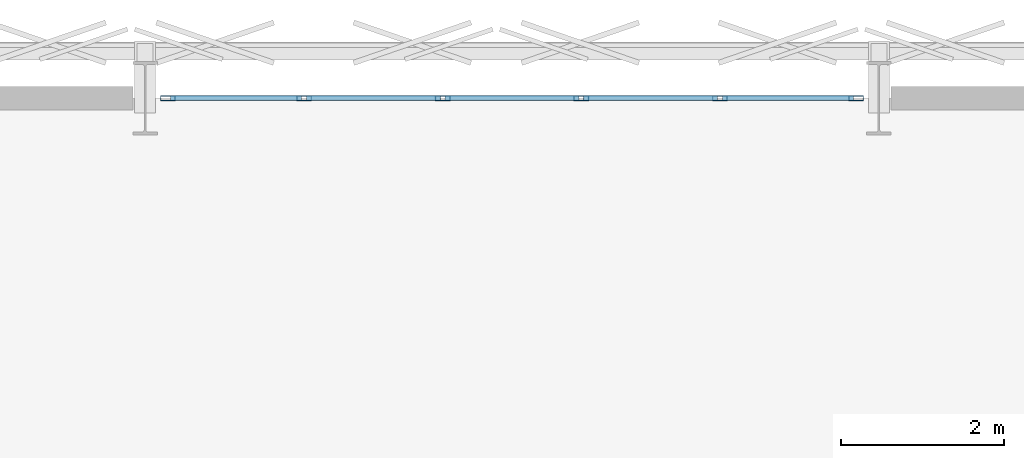
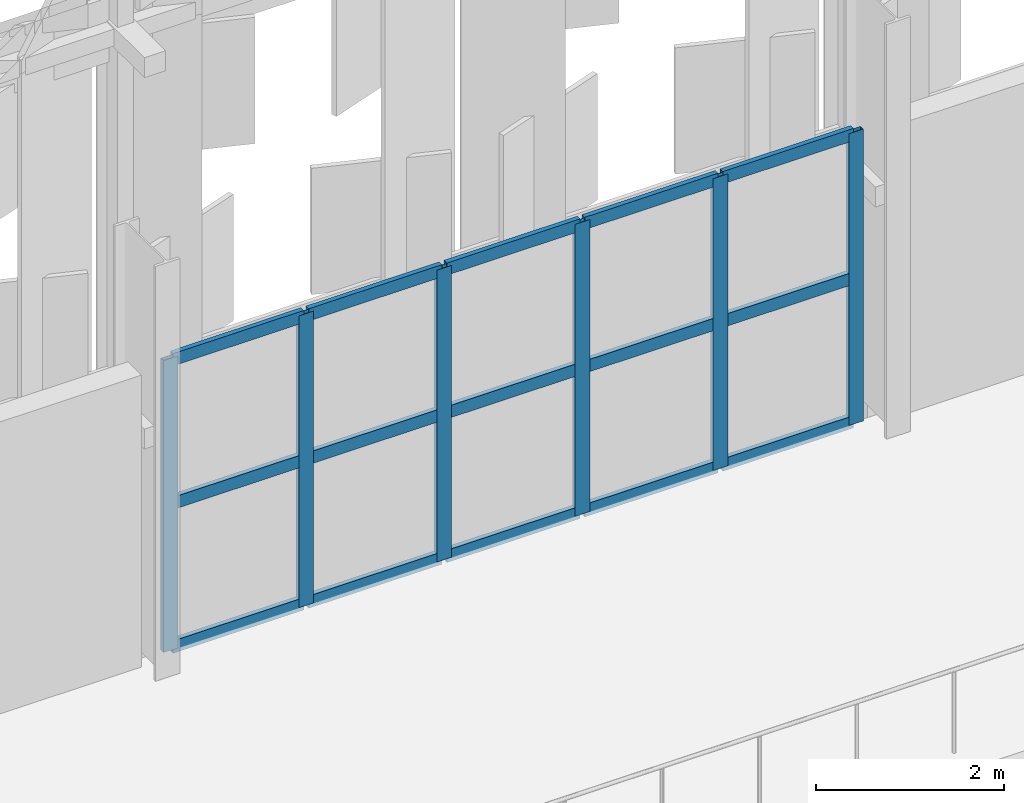
# One storey, part 88 of 210: 21 members, 1 element without a shape of its own.
"""IFC4 building model written with IfcOpenShell, lengths in metres."""

import ifcopenshell
import ifcopenshell.guid

model = None  # the IFC model being written
_history = None  # IfcOwnerHistory: only IFC2X3 demands one
_inside = {}  # id of a spatial element -> (the spatial element, [elements in it])
_under = {}  # id of a project, library or spatial element -> (it, [spatial elements below it])
_declared = {}  # id of a project -> (the project, [libraries it declares])
_typed = {}  # id of a type object -> (the type object, [elements of that type])
_made_of = {}  # id of a material, layer set ... -> (it, [elements and type objects made of it])


def new_model(schema):
    """Start an empty IFC model of exactly this schema.

    Asked for "IFC4X3", IfcOpenShell would pick the latest addendum, in which some entities
    have other attributes; the version numbers below select the first issue.
    IFC2X3 requires an IfcOwnerHistory on every rooted entity: one is made here for all.
    """
    global model, _history
    if schema == "IFC4X3":
        model = ifcopenshell.file(schema_version=(4, 3, 0, 0))
    else:
        model = ifcopenshell.file(schema=schema)
    _inside.clear()
    _under.clear()
    _declared.clear()
    _typed.clear()
    _made_of.clear()
    _history = None
    if model.schema == "IFC2X3":
        org = make("IfcOrganization", Name="unknown")
        user = make(
            "IfcPersonAndOrganization",
            ThePerson=make("IfcPerson", FamilyName="unknown"),
            TheOrganization=org,
        )
        app = make(
            "IfcApplication",
            ApplicationDeveloper=org,
            Version="unknown",
            ApplicationFullName="unknown",
            ApplicationIdentifier="unknown",
        )
        _history = make(
            "IfcOwnerHistory",
            OwningUser=user,
            OwningApplication=app,
            ChangeAction="ADDED",
            CreationDate=0,
        )
    return model


def make(cls, **values):
    """One entity of the class cls with the attributes given. An attribute that is None is left unset."""
    return model.create_entity(
        cls, **{name: value for name, value in values.items() if value is not None}
    )


def rooted(cls, **values):
    """An entity with a GlobalId (a new one), such as an element, a storey or a relation."""
    return make(cls, GlobalId=ifcopenshell.guid.new(), OwnerHistory=_history, **values)


def si_unit(unit_type, name, prefix=None):
    """IfcSIUnit, for example si_unit("LENGTHUNIT", "METRE", prefix="MILLI")."""
    return make("IfcSIUnit", UnitType=unit_type, Prefix=prefix, Name=name)


def assignment(units):
    """IfcUnitAssignment: the units of a project."""
    return None if units is None else make("IfcUnitAssignment", Units=units)


def point(xyz):
    """IfcCartesianPoint."""
    return None if xyz is None else make("IfcCartesianPoint", Coordinates=xyz)


def direction(xyz):
    """IfcDirection."""
    return None if xyz is None else make("IfcDirection", DirectionRatios=xyz)


def frame(location, z_axis=None, x_axis=None):
    """IfcAxis2Placement3D, a coordinate frame: its origin and axes. An axis left out is left unset."""
    return make(
        "IfcAxis2Placement3D",
        Location=point(location),
        Axis=direction(z_axis),
        RefDirection=direction(x_axis),
    )


def frame_2d(location, x_axis=None):
    """IfcAxis2Placement2D, a coordinate frame in the plane: its origin and x axis."""
    return make(
        "IfcAxis2Placement2D", Location=point(location), RefDirection=direction(x_axis)
    )


def origin():
    """The frame at (0, 0, 0) with its axes left unset."""
    return frame((0.0, 0.0, 0.0))


def origin_2d():
    """The frame at (0, 0) in the plane with its x axis left unset."""
    return frame_2d((0.0, 0.0))


def place(relative_to, where):
    """IfcLocalPlacement: puts the frame where relative to a parent placement (None: the world)."""
    return make(
        "IfcLocalPlacement", PlacementRelTo=relative_to, RelativePlacement=where
    )


def context(
    kind, dimensions, precision=None, world=None, true_north=None, identifier=None
):
    """IfcGeometricRepresentationContext, for example the 3D "Model" context."""
    return make(
        "IfcGeometricRepresentationContext",
        ContextIdentifier=identifier,
        ContextType=kind,
        CoordinateSpaceDimension=dimensions,
        Precision=precision,
        WorldCoordinateSystem=world,
        TrueNorth=true_north,
    )


def subcontext(parent, identifier, kind, view, scale=None):
    """IfcGeometricRepresentationSubContext, for example "Body" below "Model"."""
    return make(
        "IfcGeometricRepresentationSubContext",
        ContextIdentifier=identifier,
        ContextType=kind,
        ParentContext=parent,
        TargetScale=scale,
        TargetView=view,
    )


def project(units=None, contexts=None):
    """IfcProject with its units and contexts."""
    return rooted(
        "IfcProject",
        Name="project",
        RepresentationContexts=contexts,
        UnitsInContext=assignment(units),
    )


def spatial(cls, under=None, at=None, **own):
    """A site, building, storey or space (cls), placed at a placement, below another one or the project."""
    s = rooted(cls, ObjectPlacement=at, **own)
    if under is not None:
        _under.setdefault(under.id(), (under, []))[1].append(s)
    return s


def profile(cls, at=None, kind="AREA", **sizes):
    """A parametric profile (cls). Its sizes go by their IFC names, for example OverallWidth=200.0."""
    return make(cls, ProfileType=kind, Position=at, **sizes)


def hollow_rectangle(**sizes):
    """IfcRectangleHollowProfileDef."""
    return profile("IfcRectangleHollowProfileDef", **sizes)


def extrude(swept, where, along, depth):
    """IfcExtrudedAreaSolid: the profile swept, set in the frame where, extruded along a direction by depth."""
    return make(
        "IfcExtrudedAreaSolid",
        SweptArea=swept,
        Position=where,
        ExtrudedDirection=direction(along),
        Depth=depth,
    )


def shape(context_of_items, identifier, shape_type, items):
    """IfcShapeRepresentation: the items that make up one representation, for example the "Body"."""
    return make(
        "IfcShapeRepresentation",
        ContextOfItems=context_of_items,
        RepresentationIdentifier=identifier,
        RepresentationType=shape_type,
        Items=items,
    )


def material(Name=None, Category=None):
    """IfcMaterial."""
    return make("IfcMaterial", Name=Name, Category=Category)


def material_profile(
    of_material, cross_section, Name=None, Category=None, Priority=None
):
    """IfcMaterialProfile: a cross section and its material."""
    return make(
        "IfcMaterialProfile",
        Name=Name,
        Material=of_material,
        Profile=cross_section,
        Priority=Priority,
        Category=Category,
    )


def profile_set(profiles, Name=None, composite=None):
    """IfcMaterialProfileSet."""
    return make(
        "IfcMaterialProfileSet",
        Name=Name,
        MaterialProfiles=profiles,
        CompositeProfile=composite,
    )


def made_of(thing, what):
    """Note that an element or type object is made of a material, layer set ...; save() writes the relation."""
    if what is not None:
        _made_of.setdefault(what.id(), (what, []))[1].append(thing)
    return thing


def type_object(cls, material=None, **own):
    """A type object (cls), such as IfcWallType, which elements share."""
    return made_of(rooted(cls, **own), material)


def element(
    cls,
    number,
    at=None,
    inside=None,
    cuts=None,
    type_object=None,
    material=None,
    context=None,
    identifier="Body",
    shape_type=None,
    held_by="IfcProductDefinitionShape",
    body=None,
    shapes=None,
    **own,
):
    """One element of the class cls, such as IfcWall. Its Tag is "e" and its number.

    at: its placement. inside: the storey or other place that contains it. cuts: it is an
    opening in that element (IfcRelVoidsElement). A single representation is given by context,
    identifier, shape_type and body (its items); several are given by shapes. held_by: the class
    of the entity that holds the representations. save() writes the other relations.
    """
    e = rooted(cls, Tag="e%d" % number, ObjectPlacement=at, **own)
    if body is not None:
        shapes = [shape(context, identifier, shape_type, body)]
    if shapes is not None:
        e.Representation = make(held_by, Representations=shapes)
    if inside is not None:
        _inside.setdefault(inside.id(), (inside, []))[1].append(e)
    if cuts is not None:
        rooted(
            "IfcRelVoidsElement", RelatingBuildingElement=cuts, RelatedOpeningElement=e
        )
    if type_object is not None:
        _typed.setdefault(type_object.id(), (type_object, []))[1].append(e)
    return made_of(e, material)


def aggregate(whole, parts):
    """IfcRelAggregates: a whole, such as a stair, and the parts it consists of."""
    return rooted("IfcRelAggregates", RelatingObject=whole, RelatedObjects=parts)


def save(model, path):
    """Write the relations noted so far, then the file.

    IfcRelAggregates (storeys below a building ...), IfcRelContainedInSpatialStructure (elements
    in a storey), IfcRelDefinesByType, IfcRelAssociatesMaterial and IfcRelDeclares: one each for
    every whole, place, type object, material and project.
    """
    for whole, parts in _under.values():
        aggregate(whole, parts)
    for where, things in _inside.values():
        rooted(
            "IfcRelContainedInSpatialStructure",
            RelatedElements=things,
            RelatingStructure=where,
        )
    for kind, things in _typed.values():
        rooted("IfcRelDefinesByType", RelatedObjects=things, RelatingType=kind)
    for what, things in _made_of.values():
        rooted("IfcRelAssociatesMaterial", RelatedObjects=things, RelatingMaterial=what)
    for by, libraries in _declared.values():
        rooted("IfcRelDeclares", RelatingContext=by, RelatedDefinitions=libraries)
    model.write(path)


model = new_model("IFC4")

# Units and contexts
model_context = context("Model", 3, precision=1e-05, world=origin(), true_north=direction((0.0, 1.0)))
body_context = subcontext(model_context, "Body", "Model", "MODEL_VIEW")
ifc_project = project(units=[si_unit("LENGTHUNIT", "METRE"), si_unit("AREAUNIT", "SQUARE_METRE"), si_unit("VOLUMEUNIT", "CUBIC_METRE"), si_unit("PLANEANGLEUNIT", "RADIAN"), si_unit("MASSUNIT", "GRAM", prefix="KILO")], contexts=[model_context])

# Site, building, storey
site_placement = place(None, origin())
site = spatial("IfcSite", under=ifc_project, at=site_placement, CompositionType="ELEMENT")
building_placement = place(site_placement, origin())
building = spatial("IfcBuilding", under=site, at=building_placement, Name="Kaldris Quays Convention Centre", CompositionType="ELEMENT")
storey_placement = place(building_placement, frame((0.0, 0.0, 6.0)))
storey = spatial("IfcBuildingStorey", under=building, at=storey_placement, Name="L01", CompositionType="ELEMENT", Elevation=6.0)

# Curtain wall, members
ifc_material_1 = material(Name="Anodized aluminium AW-6060 and triple glazing", Category="aluminium")
curtain_wall_type = type_object("IfcCurtainWallType", Name="UNITISED CURTAIN WALL CW05", PredefinedType="NOTDEFINED", material=ifc_material_1)
curtain_wall_placement = place(storey_placement, origin())
curtain_wall = element("IfcCurtainWall", 1, at=curtain_wall_placement, inside=storey, type_object=curtain_wall_type, Name="L01 Unitised Curtain Wall CW05 12", PredefinedType="NOTDEFINED")
ifc_material_2 = material(Name="Anodized aluminium AW-6060", Category="aluminium")
ifc_material_profile_1 = material_profile(ifc_material_2, hollow_rectangle(XDim=0.06005859375, YDim=0.179931640625, WallThickness=0.0048828125, at=origin_2d()), Name="RHS 180x60x5")
ifc_profile_set_1 = profile_set([ifc_material_profile_1], Name="Anodized aluminium AW-6060")
member_type_1 = type_object("IfcMemberType", Name="CURTAIN MULLION CWM2", PredefinedType="MULLION", material=ifc_profile_set_1)
member_1_placement = place(storey_placement, frame((119.280029296875, 140.0, 0.0), z_axis=(0.0, 0.0, 1.0), x_axis=(0.0, 1.0, 0.0)))
member_1 = element("IfcMember", 2, at=member_1_placement, type_object=member_type_1, Name="CW05 mullion 1", PredefinedType="MULLION", context=body_context, shape_type="SweptSolid", body=[
    extrude(hollow_rectangle(XDim=0.06005859375, YDim=0.179931640625, WallThickness=0.0048828125, at=origin_2d()), origin(), (0.0, 0.0, 1.0), 3.800048828125),
])
member_2_placement = place(storey_placement, frame((120.949951171875, 140.0, 0.0), z_axis=(0.0, 0.0, 1.0), x_axis=(0.0, 1.0, 0.0)))
member_2 = element("IfcMember", 3, at=member_2_placement, type_object=member_type_1, Name="CW05 mullion 2", PredefinedType="MULLION", context=body_context, shape_type="SweptSolid", body=[
    extrude(hollow_rectangle(XDim=0.06005859375, YDim=0.179931640625, WallThickness=0.0048828125, at=origin_2d()), origin(), (0.0, 0.0, 1.0), 3.800048828125),
])
member_3_placement = place(storey_placement, frame((122.64990234375, 140.0, 0.0), z_axis=(0.0, 0.0, 1.0), x_axis=(0.0, 1.0, 0.0)))
member_3 = element("IfcMember", 4, at=member_3_placement, type_object=member_type_1, Name="CW05 mullion 3", PredefinedType="MULLION", context=body_context, shape_type="SweptSolid", body=[
    extrude(hollow_rectangle(XDim=0.06005859375, YDim=0.179931640625, WallThickness=0.0048828125, at=origin_2d()), origin(), (0.0, 0.0, 1.0), 3.800048828125),
])
member_4_placement = place(storey_placement, frame((124.35009765625, 140.0, 0.0), z_axis=(0.0, 0.0, 1.0), x_axis=(0.0, 1.0, 0.0)))
member_4 = element("IfcMember", 5, at=member_4_placement, type_object=member_type_1, Name="CW05 mullion 4", PredefinedType="MULLION", context=body_context, shape_type="SweptSolid", body=[
    extrude(hollow_rectangle(XDim=0.06005859375, YDim=0.179931640625, WallThickness=0.0048828125, at=origin_2d()), origin(), (0.0, 0.0, 1.0), 3.800048828125),
])
member_5_placement = place(storey_placement, frame((126.050048828125, 140.0, 0.0), z_axis=(0.0, 0.0, 1.0), x_axis=(0.0, 1.0, 0.0)))
member_5 = element("IfcMember", 6, at=member_5_placement, type_object=member_type_1, Name="CW05 mullion 5", PredefinedType="MULLION", context=body_context, shape_type="SweptSolid", body=[
    extrude(hollow_rectangle(XDim=0.06005859375, YDim=0.179931640625, WallThickness=0.0048828125, at=origin_2d()), origin(), (0.0, 0.0, 1.0), 3.800048828125),
])
member_6_placement = place(storey_placement, frame((127.719970703125, 140.0, 0.0), z_axis=(0.0, 0.0, 1.0), x_axis=(0.0, 1.0, 0.0)))
member_6 = element("IfcMember", 7, at=member_6_placement, type_object=member_type_1, Name="CW05 mullion 6", PredefinedType="MULLION", context=body_context, shape_type="SweptSolid", body=[
    extrude(hollow_rectangle(XDim=0.06005859375, YDim=0.179931640625, WallThickness=0.0048828125, at=origin_2d()), origin(), (0.0, 0.0, 1.0), 3.800048828125),
])
ifc_material_profile_2 = material_profile(ifc_material_2, hollow_rectangle(XDim=0.06005859375, YDim=0.159912109375, WallThickness=0.00390625, at=origin_2d()), Name="RHS 160x60x4")
ifc_profile_set_2 = profile_set([ifc_material_profile_2], Name="Anodized aluminium AW-6060")
member_type_2 = type_object("IfcMemberType", Name="CURTAIN TRANSOM CWT2", PredefinedType="USERDEFINED", material=ifc_profile_set_2)
member_7_placement = place(storey_placement, frame((119.31005859375, 140.0, 0.030029296875), z_axis=(1.0, 0.0, 0.0), x_axis=(0.0, 1.0, 0.0)))
member_7 = element("IfcMember", 8, at=member_7_placement, type_object=member_type_2, Name="CW05 transom 1.1", ObjectType="TRANSOM", PredefinedType="USERDEFINED", context=body_context, shape_type="SweptSolid", body=[
    extrude(hollow_rectangle(XDim=0.06005859375, YDim=0.159912109375, WallThickness=0.00390625, at=origin_2d()), origin(), (0.0, 0.0, 1.0), 1.60986328125),
])
member_8_placement = place(storey_placement, frame((119.31005859375, 140.0, 1.89990234375), z_axis=(1.0, 0.0, 0.0), x_axis=(0.0, 1.0, 0.0)))
member_8 = element("IfcMember", 9, at=member_8_placement, type_object=member_type_2, Name="CW05 transom 1.2", ObjectType="TRANSOM", PredefinedType="USERDEFINED", context=body_context, shape_type="SweptSolid", body=[
    extrude(hollow_rectangle(XDim=0.06005859375, YDim=0.159912109375, WallThickness=0.00390625, at=origin_2d()), origin(), (0.0, 0.0, 1.0), 1.60986328125),
])
member_9_placement = place(storey_placement, frame((119.31005859375, 140.0, 3.77001953125), z_axis=(1.0, 0.0, 0.0), x_axis=(0.0, 1.0, 0.0)))
member_9 = element("IfcMember", 10, at=member_9_placement, type_object=member_type_2, Name="CW05 transom 1.3", ObjectType="TRANSOM", PredefinedType="USERDEFINED", context=body_context, shape_type="SweptSolid", body=[
    extrude(hollow_rectangle(XDim=0.06005859375, YDim=0.159912109375, WallThickness=0.00390625, at=origin_2d()), origin(), (0.0, 0.0, 1.0), 1.60986328125),
])
member_10_placement = place(storey_placement, frame((120.97998046875, 140.0, 0.030029296875), z_axis=(1.0, 0.0, 0.0), x_axis=(0.0, 1.0, 0.0)))
member_10 = element("IfcMember", 11, at=member_10_placement, type_object=member_type_2, Name="CW05 transom 2.1", ObjectType="TRANSOM", PredefinedType="USERDEFINED", context=body_context, shape_type="SweptSolid", body=[
    extrude(hollow_rectangle(XDim=0.06005859375, YDim=0.159912109375, WallThickness=0.00390625, at=origin_2d()), origin(), (0.0, 0.0, 1.0), 1.64013671875),
])
member_11_placement = place(storey_placement, frame((120.97998046875, 140.0, 1.89990234375), z_axis=(1.0, 0.0, 0.0), x_axis=(0.0, 1.0, 0.0)))
member_11 = element("IfcMember", 12, at=member_11_placement, type_object=member_type_2, Name="CW05 transom 2.2", ObjectType="TRANSOM", PredefinedType="USERDEFINED", context=body_context, shape_type="SweptSolid", body=[
    extrude(hollow_rectangle(XDim=0.06005859375, YDim=0.159912109375, WallThickness=0.00390625, at=origin_2d()), origin(), (0.0, 0.0, 1.0), 1.64013671875),
])
member_12_placement = place(storey_placement, frame((120.97998046875, 140.0, 3.77001953125), z_axis=(1.0, 0.0, 0.0), x_axis=(0.0, 1.0, 0.0)))
member_12 = element("IfcMember", 13, at=member_12_placement, type_object=member_type_2, Name="CW05 transom 2.3", ObjectType="TRANSOM", PredefinedType="USERDEFINED", context=body_context, shape_type="SweptSolid", body=[
    extrude(hollow_rectangle(XDim=0.06005859375, YDim=0.159912109375, WallThickness=0.00390625, at=origin_2d()), origin(), (0.0, 0.0, 1.0), 1.64013671875),
])
member_13_placement = place(storey_placement, frame((122.679931640625, 140.0, 0.030029296875), z_axis=(1.0, 0.0, 0.0), x_axis=(0.0, 1.0, 0.0)))
member_13 = element("IfcMember", 14, at=member_13_placement, type_object=member_type_2, Name="CW05 transom 3.1", ObjectType="TRANSOM", PredefinedType="USERDEFINED", context=body_context, shape_type="SweptSolid", body=[
    extrude(hollow_rectangle(XDim=0.06005859375, YDim=0.159912109375, WallThickness=0.00390625, at=origin_2d()), origin(), (0.0, 0.0, 1.0), 1.64013671875),
])
member_14_placement = place(storey_placement, frame((122.679931640625, 140.0, 1.89990234375), z_axis=(1.0, 0.0, 0.0), x_axis=(0.0, 1.0, 0.0)))
member_14 = element("IfcMember", 15, at=member_14_placement, type_object=member_type_2, Name="CW05 transom 3.2", ObjectType="TRANSOM", PredefinedType="USERDEFINED", context=body_context, shape_type="SweptSolid", body=[
    extrude(hollow_rectangle(XDim=0.06005859375, YDim=0.159912109375, WallThickness=0.00390625, at=origin_2d()), origin(), (0.0, 0.0, 1.0), 1.64013671875),
])
member_15_placement = place(storey_placement, frame((122.679931640625, 140.0, 3.77001953125), z_axis=(1.0, 0.0, 0.0), x_axis=(0.0, 1.0, 0.0)))
member_15 = element("IfcMember", 16, at=member_15_placement, type_object=member_type_2, Name="CW05 transom 3.3", ObjectType="TRANSOM", PredefinedType="USERDEFINED", context=body_context, shape_type="SweptSolid", body=[
    extrude(hollow_rectangle(XDim=0.06005859375, YDim=0.159912109375, WallThickness=0.00390625, at=origin_2d()), origin(), (0.0, 0.0, 1.0), 1.64013671875),
])
member_16_placement = place(storey_placement, frame((124.3798828125, 140.0, 0.030029296875), z_axis=(1.0, 0.0, 0.0), x_axis=(0.0, 1.0, 0.0)))
member_16 = element("IfcMember", 17, at=member_16_placement, type_object=member_type_2, Name="CW05 transom 4.1", ObjectType="TRANSOM", PredefinedType="USERDEFINED", context=body_context, shape_type="SweptSolid", body=[
    extrude(hollow_rectangle(XDim=0.06005859375, YDim=0.159912109375, WallThickness=0.00390625, at=origin_2d()), origin(), (0.0, 0.0, 1.0), 1.64013671875),
])
member_17_placement = place(storey_placement, frame((124.3798828125, 140.0, 1.89990234375), z_axis=(1.0, 0.0, 0.0), x_axis=(0.0, 1.0, 0.0)))
member_17 = element("IfcMember", 18, at=member_17_placement, type_object=member_type_2, Name="CW05 transom 4.2", ObjectType="TRANSOM", PredefinedType="USERDEFINED", context=body_context, shape_type="SweptSolid", body=[
    extrude(hollow_rectangle(XDim=0.06005859375, YDim=0.159912109375, WallThickness=0.00390625, at=origin_2d()), origin(), (0.0, 0.0, 1.0), 1.64013671875),
])
member_18_placement = place(storey_placement, frame((124.3798828125, 140.0, 3.77001953125), z_axis=(1.0, 0.0, 0.0), x_axis=(0.0, 1.0, 0.0)))
member_18 = element("IfcMember", 19, at=member_18_placement, type_object=member_type_2, Name="CW05 transom 4.3", ObjectType="TRANSOM", PredefinedType="USERDEFINED", context=body_context, shape_type="SweptSolid", body=[
    extrude(hollow_rectangle(XDim=0.06005859375, YDim=0.159912109375, WallThickness=0.00390625, at=origin_2d()), origin(), (0.0, 0.0, 1.0), 1.64013671875),
])
member_19_placement = place(storey_placement, frame((126.080078125, 140.0, 0.030029296875), z_axis=(1.0, 0.0, 0.0), x_axis=(0.0, 1.0, 0.0)))
member_19 = element("IfcMember", 20, at=member_19_placement, type_object=member_type_2, Name="CW05 transom 5.1", ObjectType="TRANSOM", PredefinedType="USERDEFINED", context=body_context, shape_type="SweptSolid", body=[
    extrude(hollow_rectangle(XDim=0.06005859375, YDim=0.159912109375, WallThickness=0.00390625, at=origin_2d()), origin(), (0.0, 0.0, 1.0), 1.60986328125),
])
member_20_placement = place(storey_placement, frame((126.080078125, 140.0, 1.89990234375), z_axis=(1.0, 0.0, 0.0), x_axis=(0.0, 1.0, 0.0)))
member_20 = element("IfcMember", 21, at=member_20_placement, type_object=member_type_2, Name="CW05 transom 5.2", ObjectType="TRANSOM", PredefinedType="USERDEFINED", context=body_context, shape_type="SweptSolid", body=[
    extrude(hollow_rectangle(XDim=0.06005859375, YDim=0.159912109375, WallThickness=0.00390625, at=origin_2d()), origin(), (0.0, 0.0, 1.0), 1.60986328125),
])
member_21_placement = place(storey_placement, frame((126.080078125, 140.0, 3.77001953125), z_axis=(1.0, 0.0, 0.0), x_axis=(0.0, 1.0, 0.0)))
member_21 = element("IfcMember", 22, at=member_21_placement, type_object=member_type_2, Name="CW05 transom 5.3", ObjectType="TRANSOM", PredefinedType="USERDEFINED", context=body_context, shape_type="SweptSolid", body=[
    extrude(hollow_rectangle(XDim=0.06005859375, YDim=0.159912109375, WallThickness=0.00390625, at=origin_2d()), origin(), (0.0, 0.0, 1.0), 1.60986328125),
])
aggregate(curtain_wall, [member_1, member_2, member_3, member_4, member_5, member_6, member_7, member_8, member_9, member_10, member_11, member_12, member_13, member_14, member_15, member_16, member_17, member_18, member_19, member_20, member_21])

save(model, "model.ifc")
